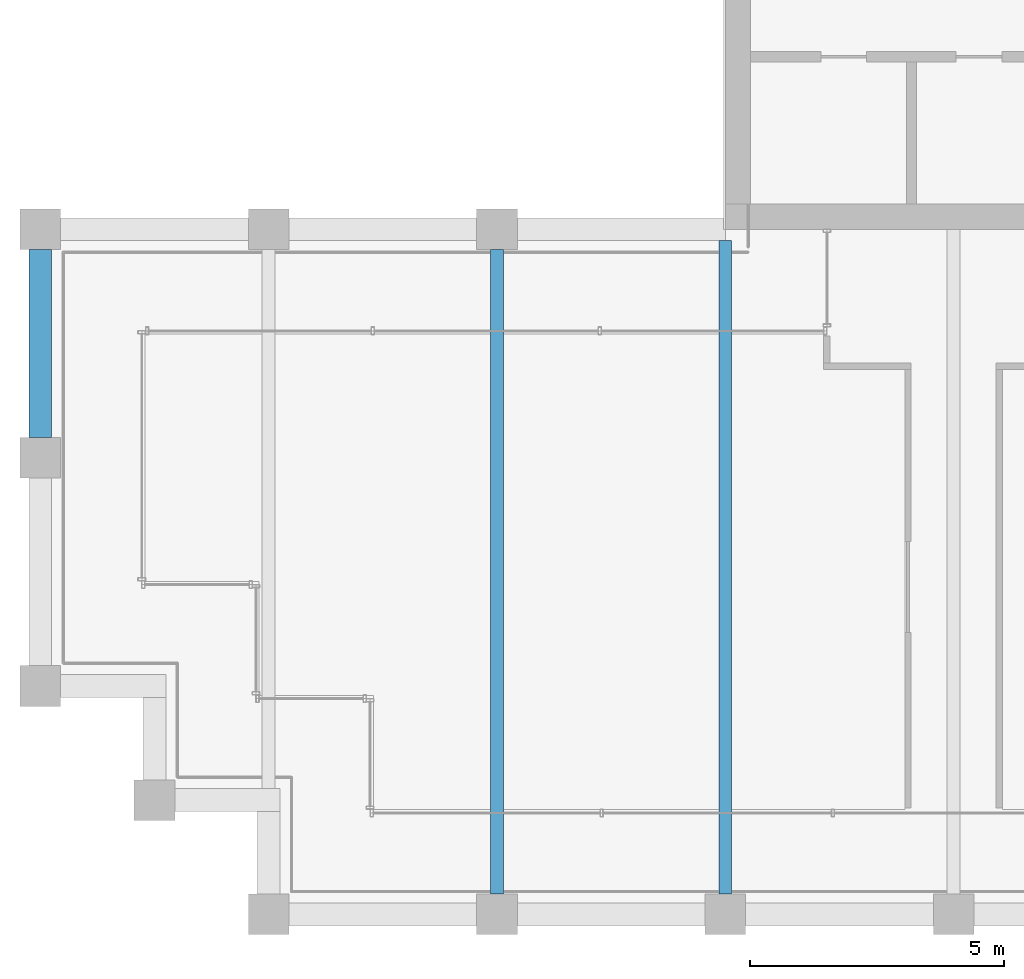
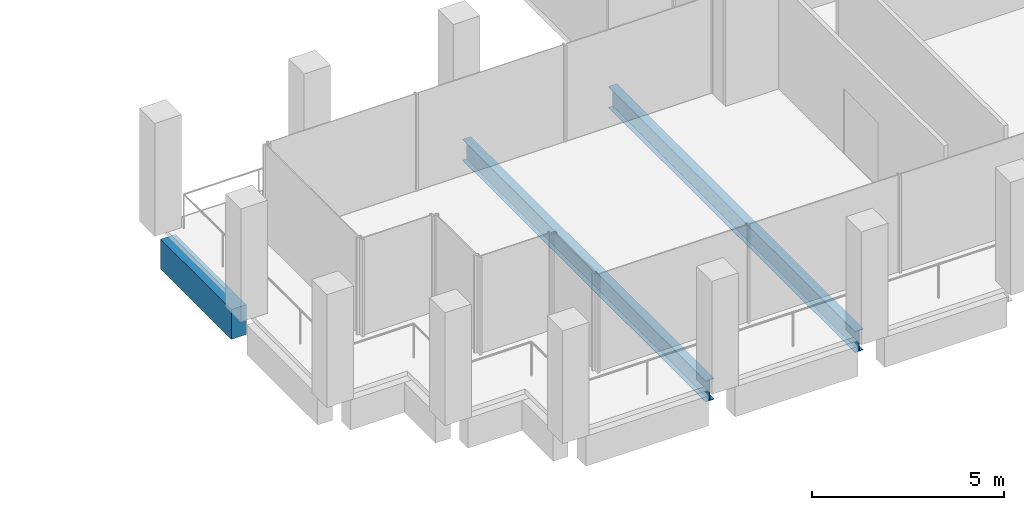
# One storey, part 6 of 62: 3 beams.
"""IFC4 building model written with IfcOpenShell, lengths in metres."""

from ifc_helpers import new_model, si_unit, direction, frame, origin, origin_2d, place, context, subcontext, project, spatial, rectangle, i_section, extrude, material, material_profile, profile_set, type_object, element, save


model = new_model("IFC4")

# Units and contexts
model_context = context("Model", 3, precision=1e-05, world=origin(), true_north=direction((0.0, 1.0)))
body_context = subcontext(model_context, "Body", "Model", "MODEL_VIEW")
ifc_project = project(units=[si_unit("LENGTHUNIT", "METRE"), si_unit("AREAUNIT", "SQUARE_METRE"), si_unit("VOLUMEUNIT", "CUBIC_METRE"), si_unit("PLANEANGLEUNIT", "RADIAN"), si_unit("MASSUNIT", "GRAM", prefix="KILO")], contexts=[model_context])

# Site, building, storey
site_placement = place(None, origin())
site = spatial("IfcSite", under=ifc_project, at=site_placement, CompositionType="ELEMENT")
building_placement = place(site_placement, origin())
building = spatial("IfcBuilding", under=site, at=building_placement, Name="Altepetl Exchange Towers", CompositionType="ELEMENT")
storey_placement = place(building_placement, frame((0.0, 0.0, 210.0)))
storey = spatial("IfcBuildingStorey", under=building, at=storey_placement, Name="L53", CompositionType="ELEMENT", Elevation=210.0)

# Beams
ifc_material_1 = material(Name="Steel S355", Category="steel")
ifc_material_profile_1 = material_profile(ifc_material_1, i_section(OverallWidth=0.2529296875, OverallDepth=0.677978515625, WebThickness=0.01171875, FlangeThickness=0.016357421875, at=origin_2d()), Name="W27X84")
ifc_profile_set_1 = profile_set([ifc_material_profile_1], Name="Steel S355")
beam_type_1 = type_object("IfcBeamType", Name="Floor beam W27X84", PredefinedType="BEAM", material=ifc_profile_set_1)
beam_1_placement = place(storey_placement, frame((36.0, 27.39990234375, -0.489013671875), z_axis=(0.0, 1.0, 0.0), x_axis=(-1.0, 0.0, 0.0)))
element("IfcBeam", 1, at=beam_1_placement, inside=storey, type_object=beam_type_1, Name="bm:A:L53:013", PredefinedType="BEAM", context=body_context, shape_type="SweptSolid", body=[
    extrude(i_section(OverallWidth=0.2529296875, OverallDepth=0.677978515625, WebThickness=0.01171875, FlangeThickness=0.016357421875, at=origin_2d()), origin(), (0.0, 0.0, 1.0), 12.7001953125),
])
beam_2_placement = place(storey_placement, frame((40.5, 27.39990234375, -0.489013671875), z_axis=(0.0, 1.0, 0.0), x_axis=(-1.0, 0.0, 0.0)))
element("IfcBeam", 2, at=beam_2_placement, inside=storey, type_object=beam_type_1, Name="bm:A:L53:014", PredefinedType="BEAM", context=body_context, shape_type="SweptSolid", body=[
    extrude(i_section(OverallWidth=0.2529296875, OverallDepth=0.677978515625, WebThickness=0.01171875, FlangeThickness=0.016357421875, at=origin_2d()), origin(), (0.0, 0.0, 1.0), 12.875),
])
ifc_material_2 = material(Name="Concrete C50/60 precast with cantera blanca facing", Category="concrete")
ifc_material_profile_2 = material_profile(ifc_material_2, rectangle(XDim=0.449951171875, YDim=0.949951171875, at=origin_2d()), Name="450 x 950")
ifc_profile_set_2 = profile_set([ifc_material_profile_2], Name="Concrete C50/60 precast with cantera blanca facing")
beam_type_2 = type_object("IfcBeamType", Name="Spandrel beam 450x950 cantera blanca", PredefinedType="SPANDREL", material=ifc_profile_set_2)
beam_3_placement = place(storey_placement, frame((27.0, 40.10009765625, -0.625), z_axis=(0.0, -1.0, 0.0), x_axis=(1.0, 0.0, 0.0)))
element("IfcBeam", 3, at=beam_3_placement, inside=storey, type_object=beam_type_2, Name="sp:A:L53:036", PredefinedType="SPANDREL", context=body_context, shape_type="SweptSolid", body=[
    extrude(rectangle(XDim=0.449951171875, YDim=0.949951171875, at=origin_2d()), origin(), (0.0, 0.0, 1.0), 3.7001953125),
])

save(model, "model.ifc")
